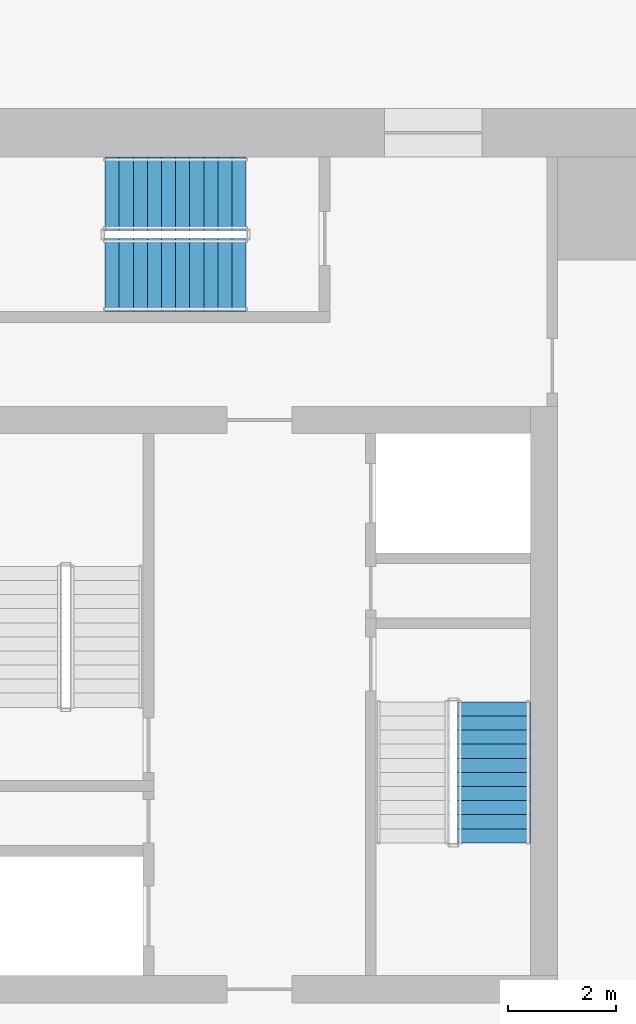
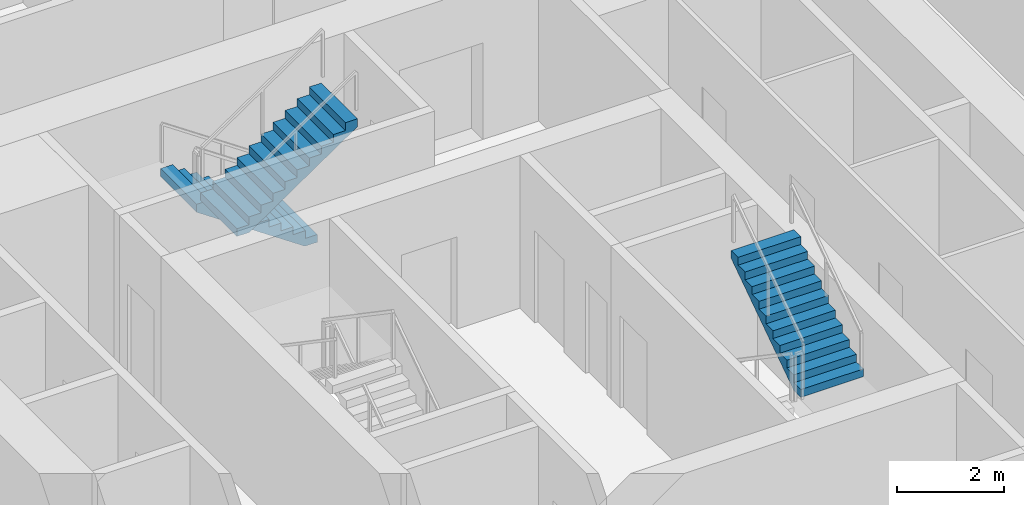
# One storey, part 10 of 15: 3 stair flights, 2 elements without a shape of their own.
"""IFC4 building model written with IfcOpenShell, lengths in metres."""

from ifc_helpers import new_model, si_unit, direction, frame, origin, place, context, subcontext, project, spatial, polyline, outline, extrude, material, type_object, element, aggregate, save


model = new_model("IFC4")

# Units and contexts
model_context = context("Model", 3, precision=1e-05, world=origin(), true_north=direction((0.0, 1.0)))
body_context = subcontext(model_context, "Body", "Model", "MODEL_VIEW")
ifc_project = project(units=[si_unit("LENGTHUNIT", "METRE"), si_unit("AREAUNIT", "SQUARE_METRE"), si_unit("VOLUMEUNIT", "CUBIC_METRE"), si_unit("PLANEANGLEUNIT", "RADIAN"), si_unit("MASSUNIT", "GRAM", prefix="KILO")], contexts=[model_context])

# Site, building, storey
site_placement = place(None, origin())
site = spatial("IfcSite", under=ifc_project, at=site_placement, CompositionType="ELEMENT")
building_placement = place(site_placement, origin())
building = spatial("IfcBuilding", under=site, at=building_placement, Name="Khepri Terraces", CompositionType="ELEMENT")
storey_placement = place(building_placement, frame((0.0, 0.0, 46.5)))
storey = spatial("IfcBuildingStorey", under=building, at=storey_placement, Name="L10", CompositionType="ELEMENT", Elevation=46.5)

# Stair, stair flight
ifc_material = material(Name="Concrete C40/50", Category="concrete")
stair_type = type_object("IfcStairType", Name="STAIR-RC-22R", PredefinedType="HALF_TURN_STAIR", material=ifc_material)
stair_1_placement = place(storey_placement, origin())
stair_1 = element("IfcStair", 1, at=stair_1_placement, inside=storey, type_object=stair_type, Name="L10 Exit Stair ST-2", PredefinedType="HALF_TURN_STAIR")
stair_flight_type = type_object("IfcStairFlightType", Name="SFL-RC-177.3", PredefinedType="STRAIGHT", material=ifc_material)
stair_flight_1_placement = place(storey_placement, frame((4.324951171875, -2.550048828125, 1.949951171875), z_axis=(0.0, 0.0, 1.0), x_axis=(0.0, 1.0, 0.0)))
stair_flight_1 = element("IfcStairFlight", 2, at=stair_flight_1_placement, type_object=stair_flight_type, Name="ST-2 flight 2", NumberOfRisers=11, NumberOfTreads=10, PredefinedType="STRAIGHT", RiserHeight=0.177272727, TreadLength=0.26, context=body_context, shape_type="SweptSolid", body=[
    extrude(outline(polyline([(0.0, 0.0), (0.0, 0.17724609375), (0.260009765625, 0.17724609375), (0.260009765625, 0.3544921875), (0.52001953125, 0.3544921875), (0.52001953125, 0.53173828125), (0.780029296875, 0.53173828125), (0.780029296875, 0.708984375), (1.0400390625, 0.708984375), (1.0400390625, 0.886474609375), (1.300048828125, 0.886474609375), (1.300048828125, 1.063720703125), (1.56005859375, 1.063720703125), (1.56005859375, 1.240966796875), (1.820068359375, 1.240966796875), (1.820068359375, 1.418212890625), (2.080078125, 1.418212890625), (2.080078125, 1.595458984375), (2.340087890625, 1.595458984375), (2.340087890625, 1.772705078125), (2.60009765625, 1.772705078125), (2.60009765625, 1.949951171875), (2.60009765625, 1.59130859375), (0.26611328125, 0.0), (0.0, 0.0)])), frame((0.0, 0.675048828125, 0.0), z_axis=(0.0, -1.0, 0.0), x_axis=(1.0, 0.0, 0.0)), (0.0, 0.0, 1.0), 1.35009765625),
])
aggregate(stair_1, [stair_flight_1])

# Stair, stair flights
stair_2_placement = place(storey_placement, origin())
stair_2 = element("IfcStair", 3, at=stair_2_placement, inside=storey, type_object=stair_type, Name="L10 Exit Stair ST-3", PredefinedType="HALF_TURN_STAIR")
stair_flight_2_placement = place(storey_placement, frame((-0.25, 9.425048828125, 0.0), z_axis=(0.0, 0.0, 1.0), x_axis=(-1.0, 0.0, 0.0)))
stair_flight_2 = element("IfcStairFlight", 4, at=stair_flight_2_placement, type_object=stair_flight_type, Name="ST-3 flight 1", NumberOfRisers=11, NumberOfTreads=10, PredefinedType="STRAIGHT", RiserHeight=0.177272727, TreadLength=0.26, context=body_context, shape_type="SweptSolid", body=[
    extrude(outline(polyline([(0.0, 0.0), (0.0, 0.17724609375), (0.260009765625, 0.17724609375), (0.260009765625, 0.3544921875), (0.52001953125, 0.3544921875), (0.52001953125, 0.53173828125), (0.780029296875, 0.53173828125), (0.780029296875, 0.708984375), (1.0400390625, 0.708984375), (1.0400390625, 0.886474609375), (1.300048828125, 0.886474609375), (1.300048828125, 1.063720703125), (1.56005859375, 1.063720703125), (1.56005859375, 1.240966796875), (1.820068359375, 1.240966796875), (1.820068359375, 1.418212890625), (2.080078125, 1.418212890625), (2.080078125, 1.595458984375), (2.340087890625, 1.595458984375), (2.340087890625, 1.772705078125), (2.60009765625, 1.772705078125), (2.60009765625, 1.949951171875), (2.60009765625, 1.59130859375), (0.26611328125, 0.0), (0.0, 0.0)])), frame((0.0, 0.675048828125, 0.0), z_axis=(0.0, -1.0, 0.0), x_axis=(1.0, 0.0, 0.0)), (0.0, 0.0, 1.0), 1.35009765625),
])
stair_flight_3_placement = place(storey_placement, frame((-2.85009765625, 7.925048828125, 1.949951171875), z_axis=(0.0, 0.0, 1.0), x_axis=(1.0, 0.0, 0.0)))
stair_flight_3 = element("IfcStairFlight", 5, at=stair_flight_3_placement, type_object=stair_flight_type, Name="ST-3 flight 2", NumberOfRisers=11, NumberOfTreads=10, PredefinedType="STRAIGHT", RiserHeight=0.177272727, TreadLength=0.26, context=body_context, shape_type="SweptSolid", body=[
    extrude(outline(polyline([(0.0, 0.0), (0.0, 0.17724609375), (0.260009765625, 0.17724609375), (0.260009765625, 0.3544921875), (0.52001953125, 0.3544921875), (0.52001953125, 0.53173828125), (0.780029296875, 0.53173828125), (0.780029296875, 0.708984375), (1.0400390625, 0.708984375), (1.0400390625, 0.886474609375), (1.300048828125, 0.886474609375), (1.300048828125, 1.063720703125), (1.56005859375, 1.063720703125), (1.56005859375, 1.240966796875), (1.820068359375, 1.240966796875), (1.820068359375, 1.418212890625), (2.080078125, 1.418212890625), (2.080078125, 1.595458984375), (2.340087890625, 1.595458984375), (2.340087890625, 1.772705078125), (2.60009765625, 1.772705078125), (2.60009765625, 1.949951171875), (2.60009765625, 1.59130859375), (0.26611328125, 0.0), (0.0, 0.0)])), frame((0.0, 0.675048828125, 0.0), z_axis=(0.0, -1.0, 0.0), x_axis=(1.0, 0.0, 0.0)), (0.0, 0.0, 1.0), 1.35009765625),
])
aggregate(stair_2, [stair_flight_2, stair_flight_3])

save(model, "model.ifc")
